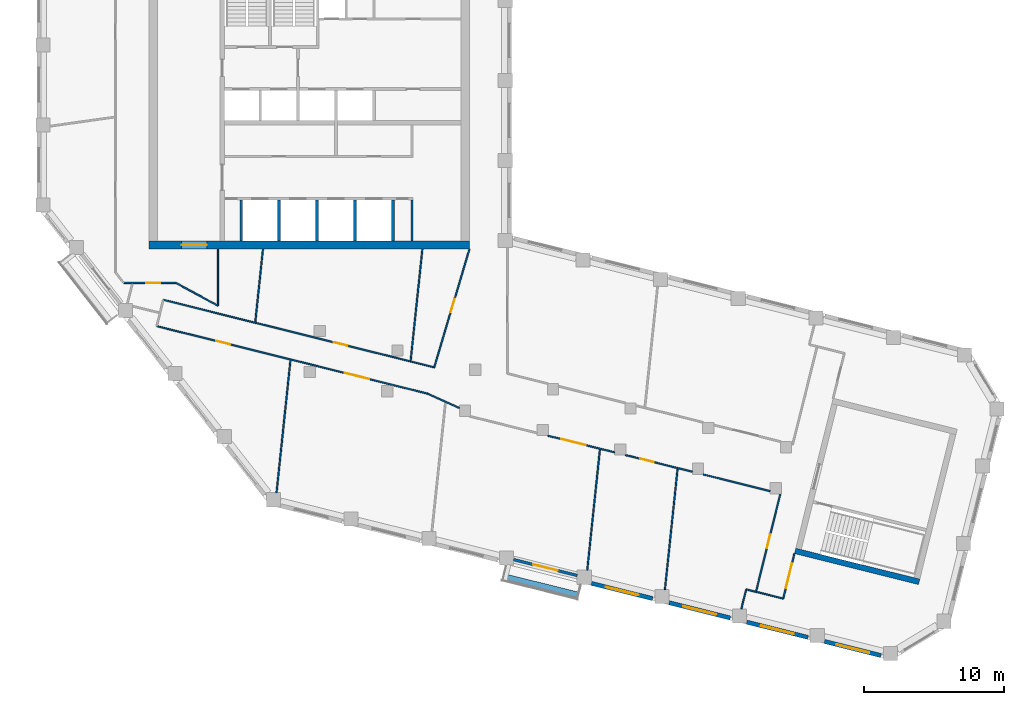
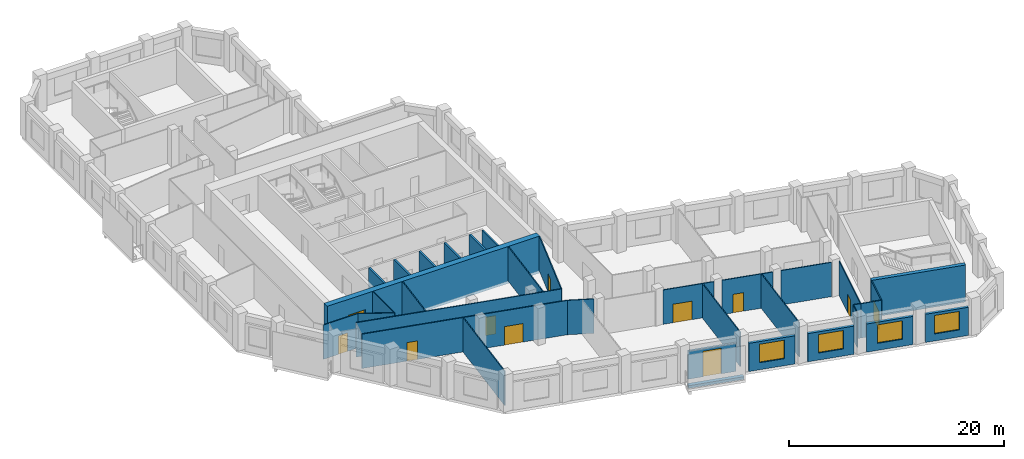
# One storey, part 3 of 9: 34 walls, 11 doors, 4 windows, 15 openings.
"""IFC4 building model written with IfcOpenShell, lengths in metres."""

from ifc_helpers import new_model, si_unit, direction, frame, frame_2d, origin, place, context, subcontext, project, spatial, rectangle, extrude, material, layer, layer_set, type_object, element, fill, save


model = new_model("IFC4")

# Units and contexts
model_context = context("Model", 3, precision=1e-05, world=origin(), true_north=direction((0.0, 1.0)))
body_context = subcontext(model_context, "Body", "Model", "MODEL_VIEW")
ifc_project = project(units=[si_unit("LENGTHUNIT", "METRE"), si_unit("AREAUNIT", "SQUARE_METRE"), si_unit("VOLUMEUNIT", "CUBIC_METRE"), si_unit("PLANEANGLEUNIT", "RADIAN"), si_unit("MASSUNIT", "GRAM", prefix="KILO")], contexts=[model_context])

# Site, building, storey
site_placement = place(None, origin())
site = spatial("IfcSite", under=ifc_project, at=site_placement, CompositionType="ELEMENT")
building_placement = place(site_placement, origin())
building = spatial("IfcBuilding", under=site, at=building_placement, Name="Meshkara Civic Tower", CompositionType="ELEMENT")
storey_placement = place(building_placement, frame((0.0, 0.0, 315.0)))
storey = spatial("IfcBuildingStorey", under=building, at=storey_placement, Name="L72", CompositionType="ELEMENT", Elevation=315.0)

# Wall
ifc_material_1 = material(Name="Blockwork", Category="masonry")
ifc_layer_1 = layer(ifc_material_1, 0.14990234375)
ifc_layer_set_1 = layer_set([ifc_layer_1], Name="Core partition 150")
wall_type_1 = type_object("IfcWallType", Name="Core partition 150", PredefinedType="PARTITIONING", material=ifc_layer_set_1)
wall_1_placement = place(storey_placement, frame((26.699951171875, 14.699951171875, 0.0), z_axis=(0.0, 0.0, 1.0), x_axis=(0.0, 1.0, 0.0)))
element("IfcWall", 1, at=wall_1_placement, inside=storey, type_object=wall_type_1, Name="L72-C025", PredefinedType="PARTITIONING", context=body_context, shape_type="SweptSolid", body=[
    extrude(rectangle(XDim=2.900146484375, YDim=0.14990234375, at=frame_2d((1.4501953125, 0.0))), origin(), (0.0, 0.0, 1.0), 3.89990234375),
])

# Wall, opening, door
ifc_material_2 = material(Name="Concrete C60", Category="concrete")
ifc_layer_2 = layer(ifc_material_2, 0.60009765625)
ifc_layer_set_2 = layer_set([ifc_layer_2], Name="Core ring wall 600 C60")
wall_type_2 = type_object("IfcWallType", Name="Core ring wall 600 C60", PredefinedType="SHEAR", material=ifc_layer_set_2)
wall_2_placement = place(storey_placement, frame((8.0, 14.39990234375, -0.300048828125), z_axis=(0.0, 0.0, 1.0), x_axis=(1.0, 0.0, 0.0)))
wall_2 = element("IfcWall", 2, at=wall_2_placement, inside=storey, type_object=wall_type_2, Name="L72-C001", PredefinedType="SHEAR", context=body_context, shape_type="SweptSolid", body=[
    extrude(rectangle(XDim=22.800048828125, YDim=0.60009765625, at=frame_2d((11.39990234375, 0.0))), origin(), (0.0, 0.0, 1.0), 4.199951171875),
])
opening_1_placement = place(wall_2_placement, frame((2.300048828125, 0.0, 0.300048828125)))
opening_1 = element("IfcOpeningElement", 3, at=opening_1_placement, cuts=wall_2, Name="Opening L72-K023", PredefinedType="OPENING", context=body_context, shape_type="SweptSolid", body=[
    extrude(rectangle(XDim=1.800048828125, YDim=2.10009765625, at=frame_2d((0.89990234375, 1.050048828125))), frame((0.0, 0.31005859375, 0.0), z_axis=(0.0, -1.0, 0.0), x_axis=(1.0, 0.0, 0.0)), (0.0, 0.0, 1.0), 0.6201171875),
])
ifc_material_3 = material(Name="Fire-rated door leaf in steel frame", Category="steel")
door_type_1 = type_object("IfcDoorType", Name="Core double door 1800 EI 60", OperationType="DOUBLE_DOOR_SINGLE_SWING", PredefinedType="DOOR", material=ifc_material_3)
door_1_placement = place(opening_1_placement, origin())
door_1 = element("IfcDoor", 4, at=door_1_placement, inside=storey, type_object=door_type_1, Name="L72-K023", OperationType="DOUBLE_DOOR_SINGLE_SWING", OverallHeight=2.10009765625, OverallWidth=1.800048828125, PredefinedType="DOOR", context=body_context, shape_type="SweptSolid", body=[
    extrude(rectangle(XDim=1.800048828125, YDim=2.10009765625, at=frame_2d((0.89990234375, 1.050048828125))), frame((0.0, 0.02490234375, 0.0), z_axis=(0.0, -1.0, 0.0), x_axis=(1.0, 0.0, 0.0)), (0.0, 0.0, 1.0), 0.050048828125),
])
fill(opening_1, door_1)

ifc_material_4 = material(Name="Corridor wall 100")
ifc_layer_3 = layer(ifc_material_4, 0.10009765625)
ifc_layer_set_3 = layer_set([ifc_layer_3], Name="Corridor wall 100")
wall_type_3 = type_object("IfcWallType", Name="Corridor wall 100", PredefinedType="PARTITIONING", material=ifc_layer_set_3)
wall_3_placement = place(storey_placement, frame((6.18603515625, 11.699951171875, 0.0), z_axis=(0.0, 0.0, 1.0), x_axis=(1.0, 0.0, 0.0)))
wall_3 = element("IfcWall", 5, at=wall_3_placement, inside=storey, type_object=wall_type_3, Name="L72-W006", PredefinedType="PARTITIONING", context=body_context, shape_type="SweptSolid", body=[
    extrude(rectangle(XDim=3.7138671875, YDim=0.10009765625, at=frame_2d((1.85693359375, 0.0))), origin(), (0.0, 0.0, 1.0), 3.89990234375),
])
opening_2_placement = place(wall_3_placement, frame((1.591064453125, 0.0, 0.0)))
opening_2 = element("IfcOpeningElement", 6, at=opening_2_placement, cuts=wall_3, Name="Opening L72-D008", PredefinedType="OPENING", context=body_context, shape_type="SweptSolid", body=[
    extrude(rectangle(XDim=1.0, YDim=2.10009765625, at=frame_2d((0.5, 1.050048828125))), frame((0.0, 0.06005859375, 0.0), z_axis=(0.0, -1.0, 0.0), x_axis=(1.0, 0.0, 0.0)), (0.0, 0.0, 1.0), 0.1201171875),
])
ifc_material_5 = material(Name="Door 1000 x 2100")
door_type_2 = type_object("IfcDoorType", Name="Door 1000 x 2100", OperationType="SINGLE_SWING_LEFT", PredefinedType="DOOR", material=ifc_material_5)
door_2_placement = place(opening_2_placement, origin())
door_2 = element("IfcDoor", 7, at=door_2_placement, inside=storey, type_object=door_type_2, Name="L72-D008", OperationType="SINGLE_SWING_RIGHT", OverallHeight=2.10009765625, OverallWidth=1.0, PredefinedType="DOOR", context=body_context, shape_type="SweptSolid", body=[
    extrude(rectangle(XDim=1.0, YDim=2.10009765625, at=frame_2d((0.5, 1.050048828125))), frame((0.0, 0.02490234375, 0.0), z_axis=(0.0, -1.0, 0.0), x_axis=(1.0, 0.0, 0.0)), (0.0, 0.0, 1.0), 0.050048828125),
])
fill(opening_2, door_2)

# Wall, openings, doors
wall_4_placement = place(storey_placement, frame((8.534912109375, 8.6259765625, 0.0), z_axis=(0.0, 0.0, 1.0), x_axis=(0.970298340477, -0.241911410372, 0.0)))
wall_4 = element("IfcWall", 8, at=wall_4_placement, inside=storey, type_object=wall_type_3, Name="L72-W007", PredefinedType="PARTITIONING", context=body_context, shape_type="SweptSolid", body=[
    extrude(rectangle(XDim=19.879638671875, YDim=0.10009765625, at=frame_2d((9.93994140625, 0.0))), origin(), (0.0, 0.0, 1.0), 3.89990234375),
])
opening_3_placement = place(wall_4_placement, frame((13.799072265625, 0.0, 0.0)))
opening_3 = element("IfcOpeningElement", 9, at=opening_3_placement, cuts=wall_4, Name="Opening L72-D004", PredefinedType="OPENING", context=body_context, shape_type="SweptSolid", body=[
    extrude(rectangle(XDim=1.800048828125, YDim=2.10009765625, at=frame_2d((0.89990234375, 1.050048828125))), frame((0.0, 0.06005859375, 0.0), z_axis=(0.0, -1.0, 0.0), x_axis=(1.0, 0.0, 0.0)), (0.0, 0.0, 1.0), 0.1201171875),
])
opening_4_placement = place(wall_4_placement, frame((4.3798828125, 0.0, 0.0)))
opening_4 = element("IfcOpeningElement", 10, at=opening_4_placement, cuts=wall_4, Name="Opening L72-D009", PredefinedType="OPENING", context=body_context, shape_type="SweptSolid", body=[
    extrude(rectangle(XDim=1.0, YDim=2.10009765625, at=frame_2d((0.5, 1.050048828125))), frame((0.0, 0.06005859375, 0.0), z_axis=(0.0, -1.0, 0.0), x_axis=(1.0, 0.0, 0.0)), (0.0, 0.0, 1.0), 0.1201171875),
])
door_3_placement = place(opening_4_placement, origin())
door_3 = element("IfcDoor", 11, at=door_3_placement, inside=storey, type_object=door_type_2, Name="L72-D009", OperationType="SINGLE_SWING_RIGHT", OverallHeight=2.10009765625, OverallWidth=1.0, PredefinedType="DOOR", context=body_context, shape_type="SweptSolid", body=[
    extrude(rectangle(XDim=1.0, YDim=2.10009765625, at=frame_2d((0.5, 1.050048828125))), frame((0.0, 0.02490234375, 0.0), z_axis=(0.0, -1.0, 0.0), x_axis=(1.0, 0.0, 0.0)), (0.0, 0.0, 1.0), 0.050048828125),
])
fill(opening_4, door_3)
ifc_material_6 = material(Name="Door pair 1800 x 2100")
door_type_3 = type_object("IfcDoorType", Name="Door pair 1800 x 2100", OperationType="SINGLE_SWING_LEFT", PredefinedType="DOOR", material=ifc_material_6)
door_4_placement = place(opening_3_placement, origin())
door_4 = element("IfcDoor", 12, at=door_4_placement, inside=storey, type_object=door_type_3, Name="L72-D004", OperationType="DOUBLE_DOOR_SINGLE_SWING", OverallHeight=2.10009765625, OverallWidth=1.800048828125, PredefinedType="DOOR", context=body_context, shape_type="SweptSolid", body=[
    extrude(rectangle(XDim=1.800048828125, YDim=2.10009765625, at=frame_2d((0.89990234375, 1.050048828125))), frame((0.0, 0.02490234375, 0.0), z_axis=(0.0, -1.0, 0.0), x_axis=(1.0, 0.0, 0.0)), (0.0, 0.0, 1.0), 0.050048828125),
])
fill(opening_3, door_4)

# Wall, opening, door
wall_5_placement = place(storey_placement, frame((9.001953125, 10.4990234375, 0.0), z_axis=(0.0, 0.0, 1.0), x_axis=(0.970298340477, -0.241911410372, 0.0)))
wall_5 = element("IfcWall", 13, at=wall_5_placement, inside=storey, type_object=wall_type_3, Name="L72-W008", PredefinedType="PARTITIONING", context=body_context, shape_type="SweptSolid", body=[
    extrude(rectangle(XDim=19.879638671875, YDim=0.10009765625, at=frame_2d((9.93994140625, 0.0))), origin(), (0.0, 0.0, 1.0), 3.89990234375),
])
opening_5_placement = place(wall_5_placement, frame((12.51806640625, 0.0, 0.0)))
opening_5 = element("IfcOpeningElement", 14, at=opening_5_placement, cuts=wall_5, Name="Opening L72-D010", PredefinedType="OPENING", context=body_context, shape_type="SweptSolid", body=[
    extrude(rectangle(XDim=1.0, YDim=2.10009765625, at=frame_2d((0.5, 1.050048828125))), frame((0.0, 0.06005859375, 0.0), z_axis=(0.0, -1.0, 0.0), x_axis=(1.0, 0.0, 0.0)), (0.0, 0.0, 1.0), 0.1201171875),
])
door_5_placement = place(opening_5_placement, origin())
door_5 = element("IfcDoor", 15, at=door_5_placement, inside=storey, type_object=door_type_2, Name="L72-D010", OperationType="SINGLE_SWING_RIGHT", OverallHeight=2.10009765625, OverallWidth=1.0, PredefinedType="DOOR", context=body_context, shape_type="SweptSolid", body=[
    extrude(rectangle(XDim=1.0, YDim=2.10009765625, at=frame_2d((0.5, 1.050048828125))), frame((0.0, 0.02490234375, 0.0), z_axis=(0.0, -1.0, 0.0), x_axis=(1.0, 0.0, 0.0)), (0.0, 0.0, 1.0), 0.050048828125),
])
fill(opening_5, door_5)

# Walls
wall_6_placement = place(storey_placement, frame((9.89990234375, 11.699951171875, 0.0), z_axis=(0.0, 0.0, 1.0), x_axis=(0.87965147249, -0.475618846291, 0.0)))
element("IfcWall", 16, at=wall_6_placement, inside=storey, type_object=wall_type_3, Name="L72-W010", PredefinedType="PARTITIONING", context=body_context, shape_type="SweptSolid", body=[
    extrude(rectangle(XDim=3.410400390625, YDim=0.10009765625, at=frame_2d((1.705078125, 0.0))), origin(), (0.0, 0.0, 1.0), 3.89990234375),
])
wall_7_placement = place(storey_placement, frame((12.89990234375, 10.077880859375, 0.0), z_axis=(0.0, 0.0, 1.0), x_axis=(0.0, 1.0, 0.0)))
element("IfcWall", 17, at=wall_7_placement, inside=storey, type_object=wall_type_3, Name="L72-W015", PredefinedType="PARTITIONING", context=body_context, shape_type="SweptSolid", body=[
    extrude(rectangle(XDim=4.022216796875, YDim=0.10009765625, at=frame_2d((2.01123046875, 0.0))), origin(), (0.0, 0.0, 1.0), 3.89990234375),
])
wall_8_placement = place(storey_placement, frame((27.823974609375, 3.81689453125, 0.0), z_axis=(0.0, 0.0, 1.0), x_axis=(0.910793734201, -0.41286168839, 0.0)))
element("IfcWall", 18, at=wall_8_placement, inside=storey, type_object=wall_type_3, Name="L72-W018", PredefinedType="PARTITIONING", context=body_context, shape_type="SweptSolid", body=[
    extrude(rectangle(XDim=2.482421875, YDim=0.10009765625, at=frame_2d((1.2412109375, 0.0))), origin(), (0.0, 0.0, 1.0), 3.89990234375),
])

# Wall, opening, door
wall_9_placement = place(storey_placement, frame((30.800048828125, 14.10009765625, 0.0), z_axis=(0.0, 0.0, 1.0), x_axis=(-0.28588265334, -0.958264633867, 0.0)))
wall_9 = element("IfcWall", 19, at=wall_9_placement, inside=storey, type_object=wall_type_3, Name="L72-W019", PredefinedType="PARTITIONING", context=body_context, shape_type="SweptSolid", body=[
    extrude(rectangle(XDim=8.7763671875, YDim=0.10009765625, at=frame_2d((4.38818359375, 0.0))), origin(), (0.0, 0.0, 1.0), 3.89990234375),
])
opening_6_placement = place(wall_9_placement, frame((3.679931640625, 0.0, 0.0)))
opening_6 = element("IfcOpeningElement", 20, at=opening_6_placement, cuts=wall_9, Name="Opening L72-D011", PredefinedType="OPENING", context=body_context, shape_type="SweptSolid", body=[
    extrude(rectangle(XDim=1.0, YDim=2.10009765625, at=frame_2d((0.5, 1.050048828125))), frame((0.0, 0.06005859375, 0.0), z_axis=(0.0, -1.0, 0.0), x_axis=(1.0, 0.0, 0.0)), (0.0, 0.0, 1.0), 0.1201171875),
])
door_6_placement = place(opening_6_placement, origin())
door_6 = element("IfcDoor", 21, at=door_6_placement, inside=storey, type_object=door_type_2, Name="L72-D011", OperationType="SINGLE_SWING_RIGHT", OverallHeight=2.10009765625, OverallWidth=1.0, PredefinedType="DOOR", context=body_context, shape_type="SweptSolid", body=[
    extrude(rectangle(XDim=1.0, YDim=2.10009765625, at=frame_2d((0.5, 1.050048828125))), frame((0.0, 0.02490234375, 0.0), z_axis=(0.0, -1.0, 0.0), x_axis=(1.0, 0.0, 0.0)), (0.0, 0.0, 1.0), 0.050048828125),
])
fill(opening_6, door_6)

wall_10_placement = place(storey_placement, frame((36.382080078125, 0.822998046875, 0.0), z_axis=(0.0, 0.0, 1.0), x_axis=(0.970285656006, -0.241962281665, 0.0)))
wall_10 = element("IfcWall", 22, at=wall_10_placement, inside=storey, type_object=wall_type_3, Name="L72-W023", PredefinedType="PARTITIONING", context=body_context, shape_type="SweptSolid", body=[
    extrude(rectangle(XDim=4.909912109375, YDim=0.10009765625, at=frame_2d((2.455078125, 0.0))), origin(), (0.0, 0.0, 1.0), 3.89990234375),
])
opening_7_placement = place(wall_10_placement, frame((0.97998046875, 0.0, 0.0)))
opening_7 = element("IfcOpeningElement", 23, at=opening_7_placement, cuts=wall_10, Name="Opening L72-D005", PredefinedType="OPENING", context=body_context, shape_type="SweptSolid", body=[
    extrude(rectangle(XDim=1.800048828125, YDim=2.10009765625, at=frame_2d((0.89990234375, 1.050048828125))), frame((0.0, 0.06005859375, 0.0), z_axis=(0.0, -1.0, 0.0), x_axis=(1.0, 0.0, 0.0)), (0.0, 0.0, 1.0), 0.1201171875),
])
door_7_placement = place(opening_7_placement, origin())
door_7 = element("IfcDoor", 24, at=door_7_placement, inside=storey, type_object=door_type_3, Name="L72-D005", OperationType="DOUBLE_DOOR_SINGLE_SWING", OverallHeight=2.10009765625, OverallWidth=1.800048828125, PredefinedType="DOOR", context=body_context, shape_type="SweptSolid", body=[
    extrude(rectangle(XDim=1.800048828125, YDim=2.10009765625, at=frame_2d((0.89990234375, 1.050048828125))), frame((0.0, 0.02490234375, 0.0), z_axis=(0.0, -1.0, 0.0), x_axis=(1.0, 0.0, 0.0)), (0.0, 0.0, 1.0), 0.050048828125),
])
fill(opening_7, door_7)

wall_11_placement = place(storey_placement, frame((41.9140625, -0.555908203125, 0.0), z_axis=(0.0, 0.0, 1.0), x_axis=(0.970274007865, -0.242008986738, 0.0)))
wall_11 = element("IfcWall", 25, at=wall_11_placement, inside=storey, type_object=wall_type_3, Name="L72-W025", PredefinedType="PARTITIONING", context=body_context, shape_type="SweptSolid", body=[
    extrude(rectangle(XDim=4.908935546875, YDim=0.10009765625, at=frame_2d((2.45458984375, 0.0))), origin(), (0.0, 0.0, 1.0), 3.89990234375),
])
opening_8_placement = place(wall_11_placement, frame((1.080078125, 0.0, 0.0)))
opening_8 = element("IfcOpeningElement", 26, at=opening_8_placement, cuts=wall_11, Name="Opening L72-D003", PredefinedType="OPENING", context=body_context, shape_type="SweptSolid", body=[
    extrude(rectangle(XDim=1.0, YDim=2.10009765625, at=frame_2d((0.5, 1.050048828125))), frame((0.0, 0.06005859375, 0.0), z_axis=(0.0, -1.0, 0.0), x_axis=(1.0, 0.0, 0.0)), (0.0, 0.0, 1.0), 0.1201171875),
])
door_8_placement = place(opening_8_placement, origin())
door_8 = element("IfcDoor", 27, at=door_8_placement, inside=storey, type_object=door_type_2, Name="L72-D003", OperationType="SINGLE_SWING_RIGHT", OverallHeight=2.10009765625, OverallWidth=1.0, PredefinedType="DOOR", context=body_context, shape_type="SweptSolid", body=[
    extrude(rectangle(XDim=1.0, YDim=2.10009765625, at=frame_2d((0.5, 1.050048828125))), frame((0.0, 0.02490234375, 0.0), z_axis=(0.0, -1.0, 0.0), x_axis=(1.0, 0.0, 0.0)), (0.0, 0.0, 1.0), 0.050048828125),
])
fill(opening_8, door_8)

# Walls
wall_12_placement = place(storey_placement, frame((47.444091796875, -1.93505859375, 0.0), z_axis=(0.0, 0.0, 1.0), x_axis=(0.970285656006, -0.241962281665, 0.0)))
element("IfcWall", 28, at=wall_12_placement, inside=storey, type_object=wall_type_3, Name="L72-W028", PredefinedType="PARTITIONING", context=body_context, shape_type="SweptSolid", body=[
    extrude(rectangle(XDim=4.909912109375, YDim=0.10009765625, at=frame_2d((2.455078125, 0.0))), origin(), (0.0, 0.0, 1.0), 3.89990234375),
])
wall_13_placement = place(storey_placement, frame((51.200927734375, -10.2919921875, 0.0), z_axis=(0.0, 0.0, 1.0), x_axis=(0.970307382734, -0.241875139301, 0.0)))
element("IfcWall", 29, at=wall_13_placement, inside=storey, type_object=wall_type_3, Name="L72-W029", PredefinedType="PARTITIONING", context=body_context, shape_type="SweptSolid", body=[
    extrude(rectangle(XDim=2.00048828125, YDim=0.10009765625, at=frame_2d((1.000244140625, 0.0))), origin(), (0.0, 0.0, 1.0), 3.89990234375),
])

# Wall, opening, door
wall_14_placement = place(storey_placement, frame((52.94091796875, -3.31396484375, 0.0), z_axis=(0.0, 0.0, 1.0), x_axis=(-0.241944492524, -0.97029009195, 0.0)))
wall_14 = element("IfcWall", 30, at=wall_14_placement, inside=storey, type_object=wall_type_3, Name="L72-W030", PredefinedType="PARTITIONING", context=body_context, shape_type="SweptSolid", body=[
    extrude(rectangle(XDim=7.191650390625, YDim=0.10009765625, at=frame_2d((3.595703125, 0.0))), origin(), (0.0, 0.0, 1.0), 3.89990234375),
])
opening_9_placement = place(wall_14_placement, frame((2.97998046875, 0.0, 0.0)))
opening_9 = element("IfcOpeningElement", 31, at=opening_9_placement, cuts=wall_14, Name="Opening L72-D001", PredefinedType="OPENING", context=body_context, shape_type="SweptSolid", body=[
    extrude(rectangle(XDim=1.0, YDim=2.10009765625, at=frame_2d((0.5, 1.050048828125))), frame((0.0, 0.06005859375, 0.0), z_axis=(0.0, -1.0, 0.0), x_axis=(1.0, 0.0, 0.0)), (0.0, 0.0, 1.0), 0.1201171875),
])
door_9_placement = place(opening_9_placement, origin())
door_9 = element("IfcDoor", 32, at=door_9_placement, inside=storey, type_object=door_type_2, Name="L72-D001", OperationType="SINGLE_SWING_RIGHT", OverallHeight=2.10009765625, OverallWidth=1.0, PredefinedType="DOOR", context=body_context, shape_type="SweptSolid", body=[
    extrude(rectangle(XDim=1.0, YDim=2.10009765625, at=frame_2d((0.5, 1.050048828125))), frame((0.0, 0.02490234375, 0.0), z_axis=(0.0, -1.0, 0.0), x_axis=(1.0, 0.0, 0.0)), (0.0, 0.0, 1.0), 0.050048828125),
])
fill(opening_9, door_9)

wall_15_placement = place(storey_placement, frame((53.14208984375, -10.77587890625, 0.0), z_axis=(0.0, 0.0, 1.0), x_axis=(0.241786986316, 0.970329352977, 0.0)))
wall_15 = element("IfcWall", 33, at=wall_15_placement, inside=storey, type_object=wall_type_3, Name="L72-W032", PredefinedType="PARTITIONING", context=body_context, shape_type="SweptSolid", body=[
    extrude(rectangle(XDim=3.2998046875, YDim=0.10009765625, at=frame_2d((1.64990234375, 0.0))), origin(), (0.0, 0.0, 1.0), 3.89990234375),
])
opening_10_placement = place(wall_15_placement, frame((0.780029296875, 0.0, 0.0)))
opening_10 = element("IfcOpeningElement", 34, at=opening_10_placement, cuts=wall_15, Name="Opening L72-D002", PredefinedType="OPENING", context=body_context, shape_type="SweptSolid", body=[
    extrude(rectangle(XDim=1.800048828125, YDim=2.10009765625, at=frame_2d((0.89990234375, 1.050048828125))), frame((0.0, 0.06005859375, 0.0), z_axis=(0.0, -1.0, 0.0), x_axis=(1.0, 0.0, 0.0)), (0.0, 0.0, 1.0), 0.1201171875),
])
door_10_placement = place(opening_10_placement, origin())
door_10 = element("IfcDoor", 35, at=door_10_placement, inside=storey, type_object=door_type_3, Name="L72-D002", OperationType="DOUBLE_DOOR_SINGLE_SWING", OverallHeight=2.10009765625, OverallWidth=1.800048828125, PredefinedType="DOOR", context=body_context, shape_type="SweptSolid", body=[
    extrude(rectangle(XDim=1.800048828125, YDim=2.10009765625, at=frame_2d((0.89990234375, 1.050048828125))), frame((0.0, 0.02490234375, 0.0), z_axis=(0.0, -1.0, 0.0), x_axis=(1.0, 0.0, 0.0)), (0.0, 0.0, 1.0), 0.050048828125),
])
fill(opening_10, door_10)

# Wall, opening, window
ifc_material_7 = material(Name="Insulated infill panel with bronze anodised aluminium cladding", Category="aluminium")
ifc_layer_4 = layer(ifc_material_7, 0.300048828125)
ifc_layer_set_4 = layer_set([ifc_layer_4], Name="EXTERNAL INFILL WALL 300")
wall_type_4 = type_object("IfcWallType", Name="EXTERNAL INFILL WALL 300", PredefinedType="SOLIDWALL", material=ifc_layer_set_4)
wall_16_placement = place(storey_placement, frame((39.489990234375, -9.69189453125, 0.0), z_axis=(0.0, 0.0, 1.0), x_axis=(0.970302346682, -0.241895341054, 0.0)))
wall_16 = element("IfcWall", 36, at=wall_16_placement, inside=storey, type_object=wall_type_4, Name="External wall", PredefinedType="SOLIDWALL", context=body_context, shape_type="SweptSolid", body=[
    extrude(rectangle(XDim=4.486328125, YDim=0.300048828125, at=frame_2d((2.2431640625, 0.0))), origin(), (0.0, 0.0, 1.0), 3.199951171875),
])
opening_11_placement = place(wall_16_placement, frame((1.0439453125, 0.0, 0.800048828125)))
opening_11 = element("IfcOpeningElement", 37, at=opening_11_placement, cuts=wall_16, Name="Opening W7", PredefinedType="OPENING", context=body_context, shape_type="SweptSolid", body=[
    extrude(rectangle(XDim=2.39990234375, YDim=2.10009765625, at=frame_2d((1.199951171875, 1.050048828125))), frame((0.0, 0.159912109375, 0.0), z_axis=(0.0, -1.0, 0.0), x_axis=(1.0, 0.0, 0.0)), (0.0, 0.0, 1.0), 0.320068359375),
])
ifc_material_8 = material(Name="Tinted double glazing", Category="glass")
window_type = type_object("IfcWindowType", Name="WINDOW 2400x2100", PartitioningType="DOUBLE_PANEL_VERTICAL", PredefinedType="WINDOW", material=ifc_material_8)
window_1_placement = place(opening_11_placement, origin())
window_1 = element("IfcWindow", 38, at=window_1_placement, inside=storey, type_object=window_type, Name="Window", OverallHeight=2.10009765625, OverallWidth=2.39990234375, PartitioningType="DOUBLE_PANEL_VERTICAL", PredefinedType="WINDOW", context=body_context, shape_type="SweptSolid", body=[
    extrude(rectangle(XDim=2.39990234375, YDim=2.10009765625, at=frame_2d((1.199951171875, 1.050048828125))), frame((0.0, 0.030029296875, 0.0), z_axis=(0.0, -1.0, 0.0), x_axis=(1.0, 0.0, 0.0)), (0.0, 0.0, 1.0), 0.06005859375),
])
fill(opening_11, window_1)

wall_17_placement = place(storey_placement, frame((45.02001953125, -11.070068359375, 0.0), z_axis=(0.0, 0.0, 1.0), x_axis=(0.970276766004, -0.241997928406, 0.0)))
wall_17 = element("IfcWall", 39, at=wall_17_placement, inside=storey, type_object=wall_type_4, Name="External wall", PredefinedType="SOLIDWALL", context=body_context, shape_type="SweptSolid", body=[
    extrude(rectangle(XDim=4.4873046875, YDim=0.300048828125, at=frame_2d((2.24365234375, 0.0))), origin(), (0.0, 0.0, 1.0), 3.199951171875),
])
opening_12_placement = place(wall_17_placement, frame((1.0439453125, 0.0, 0.800048828125)))
opening_12 = element("IfcOpeningElement", 40, at=opening_12_placement, cuts=wall_17, Name="Opening W7", PredefinedType="OPENING", context=body_context, shape_type="SweptSolid", body=[
    extrude(rectangle(XDim=2.39990234375, YDim=2.10009765625, at=frame_2d((1.199951171875, 1.050048828125))), frame((0.0, 0.159912109375, 0.0), z_axis=(0.0, -1.0, 0.0), x_axis=(1.0, 0.0, 0.0)), (0.0, 0.0, 1.0), 0.320068359375),
])
window_2_placement = place(opening_12_placement, origin())
window_2 = element("IfcWindow", 41, at=window_2_placement, inside=storey, type_object=window_type, Name="Window", OverallHeight=2.10009765625, OverallWidth=2.39990234375, PartitioningType="DOUBLE_PANEL_VERTICAL", PredefinedType="WINDOW", context=body_context, shape_type="SweptSolid", body=[
    extrude(rectangle(XDim=2.39990234375, YDim=2.10009765625, at=frame_2d((1.199951171875, 1.050048828125))), frame((0.0, 0.030029296875, 0.0), z_axis=(0.0, -1.0, 0.0), x_axis=(1.0, 0.0, 0.0)), (0.0, 0.0, 1.0), 0.06005859375),
])
fill(opening_12, window_2)

wall_18_placement = place(storey_placement, frame((50.551025390625, -12.448974609375, 0.0), z_axis=(0.0, 0.0, 1.0), x_axis=(0.970276766004, -0.241997928406, 0.0)))
wall_18 = element("IfcWall", 42, at=wall_18_placement, inside=storey, type_object=wall_type_4, Name="External wall", PredefinedType="SOLIDWALL", context=body_context, shape_type="SweptSolid", body=[
    extrude(rectangle(XDim=4.4873046875, YDim=0.300048828125, at=frame_2d((2.24365234375, 0.0))), origin(), (0.0, 0.0, 1.0), 3.199951171875),
])
opening_13_placement = place(wall_18_placement, frame((1.0439453125, 0.0, 0.800048828125)))
opening_13 = element("IfcOpeningElement", 43, at=opening_13_placement, cuts=wall_18, Name="Opening W7", PredefinedType="OPENING", context=body_context, shape_type="SweptSolid", body=[
    extrude(rectangle(XDim=2.39990234375, YDim=2.10009765625, at=frame_2d((1.199951171875, 1.050048828125))), frame((0.0, 0.159912109375, 0.0), z_axis=(0.0, -1.0, 0.0), x_axis=(1.0, 0.0, 0.0)), (0.0, 0.0, 1.0), 0.320068359375),
])
window_3_placement = place(opening_13_placement, origin())
window_3 = element("IfcWindow", 44, at=window_3_placement, inside=storey, type_object=window_type, Name="Window", OverallHeight=2.10009765625, OverallWidth=2.39990234375, PartitioningType="DOUBLE_PANEL_VERTICAL", PredefinedType="WINDOW", context=body_context, shape_type="SweptSolid", body=[
    extrude(rectangle(XDim=2.39990234375, YDim=2.10009765625, at=frame_2d((1.199951171875, 1.050048828125))), frame((0.0, 0.030029296875, 0.0), z_axis=(0.0, -1.0, 0.0), x_axis=(1.0, 0.0, 0.0)), (0.0, 0.0, 1.0), 0.06005859375),
])
fill(opening_13, window_3)

wall_19_placement = place(storey_placement, frame((56.0810546875, -13.827880859375, 0.0), z_axis=(0.0, 0.0, 1.0), x_axis=(0.970246294139, -0.242120070853, 0.0)))
wall_19 = element("IfcWall", 45, at=wall_19_placement, inside=storey, type_object=wall_type_4, Name="External wall", PredefinedType="SOLIDWALL", context=body_context, shape_type="SweptSolid", body=[
    extrude(rectangle(XDim=4.147216796875, YDim=0.300048828125, at=frame_2d((2.07373046875, 0.0))), origin(), (0.0, 0.0, 1.0), 3.199951171875),
])
opening_14_placement = place(wall_19_placement, frame((0.8740234375, 0.0, 0.800048828125)))
opening_14 = element("IfcOpeningElement", 46, at=opening_14_placement, cuts=wall_19, Name="Opening W7", PredefinedType="OPENING", context=body_context, shape_type="SweptSolid", body=[
    extrude(rectangle(XDim=2.39990234375, YDim=2.10009765625, at=frame_2d((1.199951171875, 1.050048828125))), frame((0.0, 0.159912109375, 0.0), z_axis=(0.0, -1.0, 0.0), x_axis=(1.0, 0.0, 0.0)), (0.0, 0.0, 1.0), 0.320068359375),
])
window_4_placement = place(opening_14_placement, origin())
window_4 = element("IfcWindow", 47, at=window_4_placement, inside=storey, type_object=window_type, Name="Window", OverallHeight=2.10009765625, OverallWidth=2.39990234375, PartitioningType="DOUBLE_PANEL_VERTICAL", PredefinedType="WINDOW", context=body_context, shape_type="SweptSolid", body=[
    extrude(rectangle(XDim=2.39990234375, YDim=2.10009765625, at=frame_2d((1.199951171875, 1.050048828125))), frame((0.0, 0.030029296875, 0.0), z_axis=(0.0, -1.0, 0.0), x_axis=(1.0, 0.0, 0.0)), (0.0, 0.0, 1.0), 0.06005859375),
])
fill(opening_14, window_4)

# Wall
ifc_material_9 = material(Name="Concrete C60", Category="concrete")
ifc_layer_5 = layer(ifc_material_9, 0.39990234375)
ifc_layer_set_5 = layer_set([ifc_layer_5], Name="End core ring wall 400 C60")
wall_type_5 = type_object("IfcWallType", Name="End core ring wall 400 C60", PredefinedType="SHEAR", material=ifc_layer_set_5)
wall_20_placement = place(storey_placement, frame((53.988037109375, -7.3798828125, -0.300048828125), z_axis=(0.0, 0.0, 1.0), x_axis=(0.970281210621, -0.241980107272, 0.0)))
element("IfcWall", 48, at=wall_20_placement, inside=storey, type_object=wall_type_5, Name="L72-C032", PredefinedType="SHEAR", context=body_context, shape_type="SweptSolid", body=[
    extrude(rectangle(XDim=9.1005859375, YDim=0.39990234375, at=frame_2d((4.55029296875, 0.0))), origin(), (0.0, 0.0, 1.0), 4.199951171875),
])

# Wall, opening, door
ifc_material_10 = material(Name="Insulated infill panel with bronze anodised aluminium cladding", Category="aluminium")
ifc_layer_6 = layer(ifc_material_10, 0.199951171875)
ifc_layer_set_6 = layer_set([ifc_layer_6], Name="LOGGIA BACK WALL 200")
wall_type_6 = type_object("IfcWallType", Name="LOGGIA BACK WALL 200", PredefinedType="SOLIDWALL", material=ifc_layer_set_6)
wall_21_placement = place(storey_placement, frame((33.943115234375, -8.0, 0.0), z_axis=(0.0, 0.0, 1.0), x_axis=(0.970335948358, -0.241760516472, 0.0)))
wall_21 = element("IfcWall", 49, at=wall_21_placement, inside=storey, type_object=wall_type_6, Name="Loggia wall", PredefinedType="SOLIDWALL", context=body_context, shape_type="SweptSolid", body=[
    extrude(rectangle(XDim=4.66943359375, YDim=0.199951171875, at=frame_2d((2.334716796875, 0.0))), origin(), (0.0, 0.0, 1.0), 3.199951171875),
])
opening_15_placement = place(wall_21_placement, frame((1.43408203125, 0.0, 0.0)))
opening_15 = element("IfcOpeningElement", 50, at=opening_15_placement, cuts=wall_21, Name="Opening L72-L003", PredefinedType="OPENING", context=body_context, shape_type="SweptSolid", body=[
    extrude(rectangle(XDim=1.800048828125, YDim=2.89990234375, at=frame_2d((0.89990234375, 1.449951171875))), frame((0.0, 0.10986328125, 0.0), z_axis=(0.0, -1.0, 0.0), x_axis=(1.0, 0.0, 0.0)), (0.0, 0.0, 1.0), 0.219970703125),
])
ifc_material_11 = material(Name="Tinted double glazing", Category="glass")
door_type_4 = type_object("IfcDoorType", Name="LOGGIA DOOR 1800x2900", OperationType="DOUBLE_DOOR_SINGLE_SWING", PredefinedType="DOOR", material=ifc_material_11)
door_11_placement = place(opening_15_placement, origin())
door_11 = element("IfcDoor", 51, at=door_11_placement, inside=storey, type_object=door_type_4, Name="L72-L003", OperationType="DOUBLE_DOOR_SINGLE_SWING", OverallHeight=2.89990234375, OverallWidth=1.800048828125, PredefinedType="DOOR", context=body_context, shape_type="SweptSolid", body=[
    extrude(rectangle(XDim=1.800048828125, YDim=2.89990234375, at=frame_2d((0.89990234375, 1.449951171875))), frame((0.0, 0.02490234375, 0.0), z_axis=(0.0, -1.0, 0.0), x_axis=(1.0, 0.0, 0.0)), (0.0, 0.0, 1.0), 0.050048828125),
])
fill(opening_15, door_11)

# Walls
ifc_material_12 = material(Name="Concrete C40", Category="concrete")
ifc_layer_7 = layer(ifc_material_12, 0.39990234375)
ifc_layer_set_7 = layer_set([ifc_layer_7], Name="PLANTER TRAY")
wall_type_7 = type_object("IfcWallType", Name="PLANTER TRAY", PredefinedType="SOLIDWALL", material=ifc_layer_set_7)
wall_22_placement = place(storey_placement, frame((33.285888671875, -9.2060546875, 0.0), z_axis=(0.0, 0.0, 1.0), x_axis=(0.970292345375, -0.241935455249, 0.0)))
element("IfcWall", 52, at=wall_22_placement, inside=storey, type_object=wall_type_7, Name="Planter", PredefinedType="SOLIDWALL", context=body_context, shape_type="SweptSolid", body=[
    extrude(rectangle(XDim=5.3603515625, YDim=0.39990234375, at=frame_2d((2.68017578125, 0.0))), origin(), (0.0, 0.0, 1.0), 0.300048828125),
])
ifc_material_13 = material(Name="Partition 100")
ifc_layer_8 = layer(ifc_material_13, 0.10009765625)
ifc_layer_set_8 = layer_set([ifc_layer_8], Name="Partition 100")
wall_type_8 = type_object("IfcWallType", Name="Partition 100", PredefinedType="PARTITIONING", material=ifc_layer_set_8)
wall_23_placement = place(storey_placement, frame((15.553955078125, 8.924072265625, 0.0), z_axis=(0.0, 0.0, 1.0), x_axis=(0.104513853303, 0.994523430829, 0.0)))
element("IfcWall", 53, at=wall_23_placement, inside=storey, type_object=wall_type_8, Name="L72-W043", PredefinedType="PARTITIONING", context=body_context, shape_type="SweptSolid", body=[
    extrude(rectangle(XDim=5.20458984375, YDim=0.10009765625, at=frame_2d((2.602294921875, 0.0))), origin(), (0.0, 0.0, 1.0), 3.89990234375),
])
wall_24_placement = place(storey_placement, frame((17.06494140625, -3.238037109375, 0.0), z_axis=(0.0, 0.0, 1.0), x_axis=(0.104487801341, 0.994526168269, 0.0)))
element("IfcWall", 54, at=wall_24_placement, inside=storey, type_object=wall_type_8, Name="L72-W044", PredefinedType="PARTITIONING", context=body_context, shape_type="SweptSolid", body=[
    extrude(rectangle(XDim=9.484130859375, YDim=0.10009765625, at=frame_2d((4.7421875, 0.0))), origin(), (0.0, 0.0, 1.0), 3.89990234375),
])
wall_25_placement = place(storey_placement, frame((26.614990234375, 6.166015625, 0.0), z_axis=(0.0, 0.0, 1.0), x_axis=(0.10453822663, 0.994520869149, 0.0)))
element("IfcWall", 55, at=wall_25_placement, inside=storey, type_object=wall_type_8, Name="L72-W048", PredefinedType="PARTITIONING", context=body_context, shape_type="SweptSolid", body=[
    extrude(rectangle(XDim=7.977783203125, YDim=0.10009765625, at=frame_2d((3.98876953125, 0.0))), origin(), (0.0, 0.0, 1.0), 3.89990234375),
])
for number, where, z_axis, x_axis, name in (
    (56, (39.18798828125, -8.75390625, 0.0), (0.0, 0.0, 1.0), (0.104506829378, 0.994524168944, 0.0), "L72-W050"),
    (57, (44.718017578125, -10.133056640625, 0.0), (0.0, 0.0, 1.0), (0.104506829378, 0.994524168944, 0.0), "L72-W052"),
):
    element("IfcWall", number, at=place(storey_placement, frame(where, z_axis=z_axis, x_axis=x_axis)), inside=storey, type_object=wall_type_8, Name=name, PredefinedType="PARTITIONING", context=body_context, shape_type="SweptSolid", body=[
        extrude(rectangle(XDim=8.641357421875, YDim=0.10009765625, at=frame_2d((4.32080078125, 0.0))), origin(), (0.0, 0.0, 1.0), 3.89990234375),
    ])
wall_26_placement = place(storey_placement, frame((50.159912109375, -11.511962890625, 0.0), z_axis=(0.0, 0.0, 1.0), x_axis=(0.241815333826, 0.970322288895, 0.0)))
element("IfcWall", 58, at=wall_26_placement, inside=storey, type_object=wall_type_8, Name="L72-W053", PredefinedType="PARTITIONING", context=body_context, shape_type="SweptSolid", body=[
    extrude(rectangle(XDim=1.435791015625, YDim=0.10009765625, at=frame_2d((0.7177734375, 0.0))), origin(), (0.0, 0.0, 1.0), 3.89990234375),
])
wall_27_placement = place(storey_placement, frame((50.507080078125, -10.118896484375, 0.0), z_axis=(0.0, 0.0, 1.0), x_axis=(0.970282083048, -0.241976609029, 0.0)))
element("IfcWall", 59, at=wall_27_placement, inside=storey, type_object=wall_type_8, Name="L72-W054", PredefinedType="PARTITIONING", context=body_context, shape_type="SweptSolid", body=[
    extrude(rectangle(XDim=0.719482421875, YDim=0.10009765625, at=frame_2d((0.35986328125, 0.0))), origin(), (0.0, 0.0, 1.0), 3.89990234375),
])
ifc_material_14 = material(Name="Concrete C40/50", Category="concrete")
ifc_layer_9 = layer(ifc_material_14, 0.199951171875)
ifc_layer_set_9 = layer_set([ifc_layer_9], Name="Shaft wall 200 C40/50")
wall_type_9 = type_object("IfcWallType", Name="Shaft wall 200 C40/50", PredefinedType="SOLIDWALL", material=ifc_layer_set_9)
for number, where, z_axis, x_axis, name in (
    (60, (14.550048828125, 14.699951171875, 0.0), (0.0, 0.0, 1.0), (0.0, 1.0, 0.0), "L72-C012"),
    (61, (17.25, 14.699951171875, 0.0), (0.0, 0.0, 1.0), (0.0, 1.0, 0.0), "L72-C015"),
    (62, (19.949951171875, 14.699951171875, 0.0), (0.0, 0.0, 1.0), (0.0, 1.0, 0.0), "L72-C017"),
    (63, (22.64990234375, 14.699951171875, 0.0), (0.0, 0.0, 1.0), (0.0, 1.0, 0.0), "L72-C021"),
    (64, (25.35009765625, 14.699951171875, 0.0), (0.0, 0.0, 1.0), (0.0, 1.0, 0.0), "L72-C024"),
):
    element("IfcWall", number, at=place(storey_placement, frame(where, z_axis=z_axis, x_axis=x_axis)), inside=storey, type_object=wall_type_9, Name=name, PredefinedType="SOLIDWALL", context=body_context, shape_type="SweptSolid", body=[
        extrude(rectangle(XDim=2.900146484375, YDim=0.199951171875, at=frame_2d((1.4501953125, 0.0))), origin(), (0.0, 0.0, 1.0), 3.89990234375),
    ])

save(model, "model.ifc")
